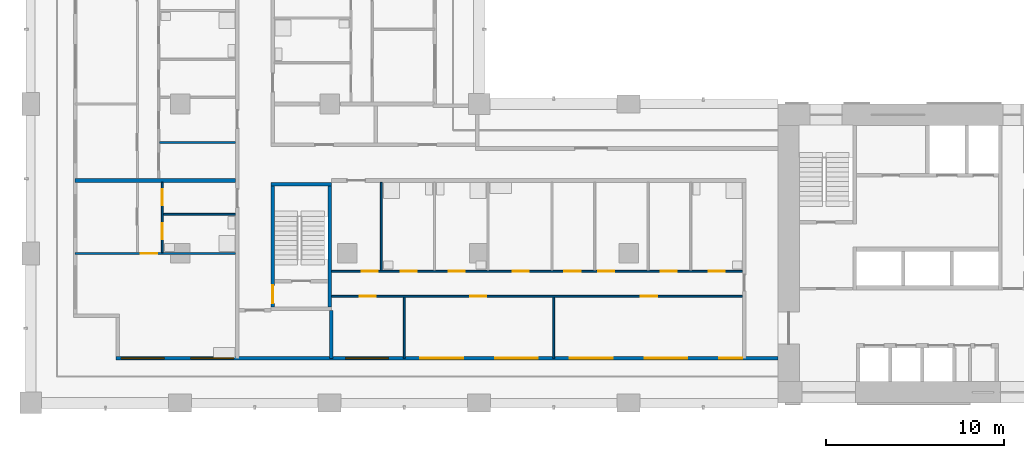
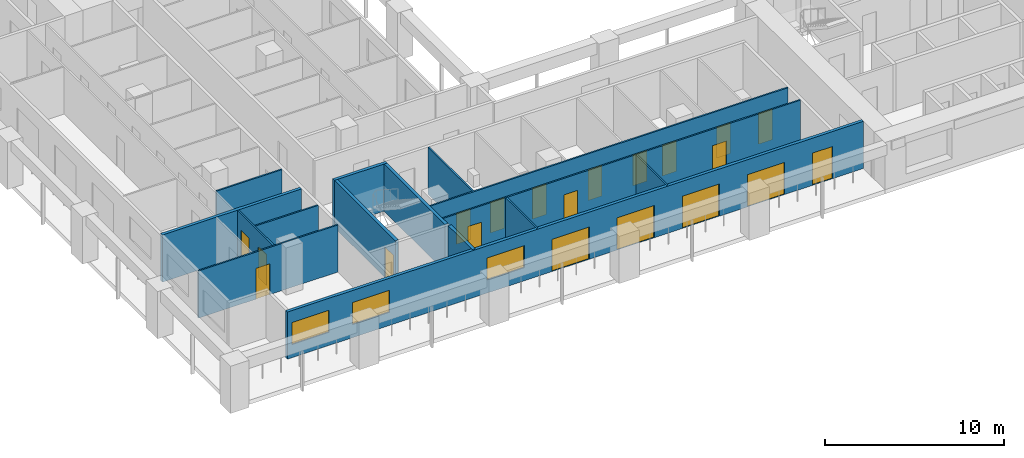
# One storey, part 2 of 16: 20 doors, 15 walls, 3 windows, 23 openings.
"""IFC4 building model written with IfcOpenShell, lengths in metres."""

from ifc_helpers import new_model, si_unit, direction, frame, frame_2d, origin, place, context, subcontext, project, spatial, rectangle, extrude, material, layer, layer_set, type_object, element, fill, save


model = new_model("IFC4")

# Units and contexts
model_context = context("Model", 3, precision=1e-05, world=origin(), true_north=direction((0.0, 1.0)))
body_context = subcontext(model_context, "Body", "Model", "MODEL_VIEW")
ifc_project = project(units=[si_unit("LENGTHUNIT", "METRE"), si_unit("AREAUNIT", "SQUARE_METRE"), si_unit("VOLUMEUNIT", "CUBIC_METRE"), si_unit("PLANEANGLEUNIT", "RADIAN"), si_unit("MASSUNIT", "GRAM", prefix="KILO")], contexts=[model_context])

# Site, building, storey
site_placement = place(None, origin())
site = spatial("IfcSite", under=ifc_project, at=site_placement, CompositionType="ELEMENT")
building_placement = place(site_placement, origin())
building = spatial("IfcBuilding", under=site, at=building_placement, Name="Vermilion Gate Residences", CompositionType="ELEMENT")
storey_placement = place(building_placement, frame((0.0, 0.0, 126.699951171875)))
storey = spatial("IfcBuildingStorey", under=building, at=storey_placement, Name="L32", CompositionType="ELEMENT", Elevation=126.699951171875)

# Wall, openings, doors, windows
ifc_material_1 = material(Name="Insulated steel stud wall with terracotta rainscreen", Category="masonry")
ifc_layer_1 = layer(ifc_material_1, 0.199951171875)
ifc_layer_set_1 = layer_set([ifc_layer_1], Name="EXTERNAL WALL 200 TERRACOTTA RAINSCREEN")
wall_type_1 = type_object("IfcWallType", Name="EXTERNAL WALL 200 TERRACOTTA RAINSCREEN", PredefinedType="SOLIDWALL", material=ifc_layer_set_1)
wall_1_placement = place(storey_placement, frame((4.800048828125, 10.89990234375, 0.0), z_axis=(0.0, 0.0, 1.0), x_axis=(1.0, 0.0, 0.0)))
wall_1 = element("IfcWall", 1, at=wall_1_placement, inside=storey, type_object=wall_type_1, Name="External wall", PredefinedType="SOLIDWALL", context=body_context, shape_type="SweptSolid", body=[
    extrude(rectangle(XDim=37.199951171875, YDim=0.199951171875, at=frame_2d((18.60009765625, 0.0))), origin(), (0.0, 0.0, 1.0), 3.219970703125),
])
opening_1_placement = place(wall_1_placement, frame((0.300048828125, 0.0, 0.89990234375)))
opening_1 = element("IfcOpeningElement", 2, at=opening_1_placement, cuts=wall_1, Name="Opening WE32012", PredefinedType="OPENING", context=body_context, shape_type="SweptSolid", body=[
    extrude(rectangle(XDim=2.39990234375, YDim=1.5, at=frame_2d((1.199951171875, 0.75))), frame((0.0, 0.10986328125, 0.0), z_axis=(0.0, -1.0, 0.0), x_axis=(1.0, 0.0, 0.0)), (0.0, 0.0, 1.0), 0.219970703125),
])
opening_2_placement = place(wall_1_placement, frame((4.199951171875, 0.0, 0.89990234375)))
opening_2 = element("IfcOpeningElement", 3, at=opening_2_placement, cuts=wall_1, Name="Opening WE32013", PredefinedType="OPENING", context=body_context, shape_type="SweptSolid", body=[
    extrude(rectangle(XDim=2.39990234375, YDim=1.5, at=frame_2d((1.199951171875, 0.75))), frame((0.0, 0.10986328125, 0.0), z_axis=(0.0, -1.0, 0.0), x_axis=(1.0, 0.0, 0.0)), (0.0, 0.0, 1.0), 0.219970703125),
])
opening_3_placement = place(wall_1_placement, frame((12.89990234375, 0.0, 0.89990234375)))
opening_3 = element("IfcOpeningElement", 4, at=opening_3_placement, cuts=wall_1, Name="Opening WE32014", PredefinedType="OPENING", context=body_context, shape_type="SweptSolid", body=[
    extrude(rectangle(XDim=2.39990234375, YDim=1.5, at=frame_2d((1.199951171875, 0.75))), frame((0.0, 0.10986328125, 0.0), z_axis=(0.0, -1.0, 0.0), x_axis=(1.0, 0.0, 0.0)), (0.0, 0.0, 1.0), 0.219970703125),
])
opening_4_placement = place(wall_1_placement, frame((17.10009765625, 0.0, 0.0)))
opening_4 = element("IfcOpeningElement", 5, at=opening_4_placement, cuts=wall_1, Name="Opening DE32015", PredefinedType="OPENING", context=body_context, shape_type="SweptSolid", body=[
    extrude(rectangle(XDim=2.39990234375, YDim=2.199951171875, at=frame_2d((1.199951171875, 1.10009765625))), frame((0.0, 0.10986328125, 0.0), z_axis=(0.0, -1.0, 0.0), x_axis=(1.0, 0.0, 0.0)), (0.0, 0.0, 1.0), 0.219970703125),
])
opening_5_placement = place(wall_1_placement, frame((21.300048828125, 0.0, 0.0)))
opening_5 = element("IfcOpeningElement", 6, at=opening_5_placement, cuts=wall_1, Name="Opening DE32016", PredefinedType="OPENING", context=body_context, shape_type="SweptSolid", body=[
    extrude(rectangle(XDim=2.39990234375, YDim=2.199951171875, at=frame_2d((1.199951171875, 1.10009765625))), frame((0.0, 0.10986328125, 0.0), z_axis=(0.0, -1.0, 0.0), x_axis=(1.0, 0.0, 0.0)), (0.0, 0.0, 1.0), 0.219970703125),
])
opening_6_placement = place(wall_1_placement, frame((25.5, 0.0, 0.0)))
opening_6 = element("IfcOpeningElement", 7, at=opening_6_placement, cuts=wall_1, Name="Opening DE32017", PredefinedType="OPENING", context=body_context, shape_type="SweptSolid", body=[
    extrude(rectangle(XDim=2.39990234375, YDim=2.199951171875, at=frame_2d((1.199951171875, 1.10009765625))), frame((0.0, 0.10986328125, 0.0), z_axis=(0.0, -1.0, 0.0), x_axis=(1.0, 0.0, 0.0)), (0.0, 0.0, 1.0), 0.219970703125),
])
opening_7_placement = place(wall_1_placement, frame((29.699951171875, 0.0, 0.0)))
opening_7 = element("IfcOpeningElement", 8, at=opening_7_placement, cuts=wall_1, Name="Opening DE32018", PredefinedType="OPENING", context=body_context, shape_type="SweptSolid", body=[
    extrude(rectangle(XDim=2.39990234375, YDim=2.199951171875, at=frame_2d((1.199951171875, 1.10009765625))), frame((0.0, 0.10986328125, 0.0), z_axis=(0.0, -1.0, 0.0), x_axis=(1.0, 0.0, 0.0)), (0.0, 0.0, 1.0), 0.219970703125),
])
opening_8_placement = place(wall_1_placement, frame((33.89990234375, 0.0, 0.0)))
opening_8 = element("IfcOpeningElement", 9, at=opening_8_placement, cuts=wall_1, Name="Opening DE32019", PredefinedType="OPENING", context=body_context, shape_type="SweptSolid", body=[
    extrude(rectangle(XDim=1.300048828125, YDim=2.199951171875, at=frame_2d((0.64990234375, 1.10009765625))), frame((0.0, 0.10986328125, 0.0), z_axis=(0.0, -1.0, 0.0), x_axis=(1.0, 0.0, 0.0)), (0.0, 0.0, 1.0), 0.219970703125),
])
ifc_material_2 = material(Name="Aluminium and clear glass", Category="aluminium")
door_type_1 = type_object("IfcDoorType", Name="SLIDING GLAZED DOOR 1300 X 2200", OperationType="DOUBLE_DOOR_SLIDING", PredefinedType="DOOR", material=ifc_material_2)
door_1_placement = place(opening_8_placement, origin())
door_1 = element("IfcDoor", 10, at=door_1_placement, inside=storey, type_object=door_type_1, Name="Loggia sliding door", OperationType="DOUBLE_DOOR_SLIDING", OverallHeight=2.199951171875, OverallWidth=1.300048828125, PredefinedType="DOOR", context=body_context, shape_type="SweptSolid", body=[
    extrude(rectangle(XDim=1.300048828125, YDim=2.199951171875, at=frame_2d((0.64990234375, 1.10009765625))), frame((0.0, 0.02490234375, 0.0), z_axis=(0.0, -1.0, 0.0), x_axis=(1.0, 0.0, 0.0)), (0.0, 0.0, 1.0), 0.050048828125),
])
fill(opening_8, door_1)
ifc_material_3 = material(Name="Aluminium and clear glass", Category="aluminium")
door_type_2 = type_object("IfcDoorType", Name="SLIDING GLAZED DOOR 2400 X 2200", OperationType="DOUBLE_DOOR_SLIDING", PredefinedType="DOOR", material=ifc_material_3)
door_2_placement = place(opening_4_placement, origin())
door_2 = element("IfcDoor", 11, at=door_2_placement, inside=storey, type_object=door_type_2, Name="Loggia sliding door", OperationType="DOUBLE_DOOR_SLIDING", OverallHeight=2.199951171875, OverallWidth=2.39990234375, PredefinedType="DOOR", context=body_context, shape_type="SweptSolid", body=[
    extrude(rectangle(XDim=2.39990234375, YDim=2.199951171875, at=frame_2d((1.199951171875, 1.10009765625))), frame((0.0, 0.02490234375, 0.0), z_axis=(0.0, -1.0, 0.0), x_axis=(1.0, 0.0, 0.0)), (0.0, 0.0, 1.0), 0.050048828125),
])
fill(opening_4, door_2)
door_3_placement = place(opening_5_placement, origin())
door_3 = element("IfcDoor", 12, at=door_3_placement, inside=storey, type_object=door_type_2, Name="Loggia sliding door", OperationType="DOUBLE_DOOR_SLIDING", OverallHeight=2.199951171875, OverallWidth=2.39990234375, PredefinedType="DOOR", context=body_context, shape_type="SweptSolid", body=[
    extrude(rectangle(XDim=2.39990234375, YDim=2.199951171875, at=frame_2d((1.199951171875, 1.10009765625))), frame((0.0, 0.02490234375, 0.0), z_axis=(0.0, -1.0, 0.0), x_axis=(1.0, 0.0, 0.0)), (0.0, 0.0, 1.0), 0.050048828125),
])
fill(opening_5, door_3)
door_4_placement = place(opening_6_placement, origin())
door_4 = element("IfcDoor", 13, at=door_4_placement, inside=storey, type_object=door_type_2, Name="Loggia sliding door", OperationType="DOUBLE_DOOR_SLIDING", OverallHeight=2.199951171875, OverallWidth=2.39990234375, PredefinedType="DOOR", context=body_context, shape_type="SweptSolid", body=[
    extrude(rectangle(XDim=2.39990234375, YDim=2.199951171875, at=frame_2d((1.199951171875, 1.10009765625))), frame((0.0, 0.02490234375, 0.0), z_axis=(0.0, -1.0, 0.0), x_axis=(1.0, 0.0, 0.0)), (0.0, 0.0, 1.0), 0.050048828125),
])
fill(opening_6, door_4)
door_5_placement = place(opening_7_placement, origin())
door_5 = element("IfcDoor", 14, at=door_5_placement, inside=storey, type_object=door_type_2, Name="Loggia sliding door", OperationType="DOUBLE_DOOR_SLIDING", OverallHeight=2.199951171875, OverallWidth=2.39990234375, PredefinedType="DOOR", context=body_context, shape_type="SweptSolid", body=[
    extrude(rectangle(XDim=2.39990234375, YDim=2.199951171875, at=frame_2d((1.199951171875, 1.10009765625))), frame((0.0, 0.02490234375, 0.0), z_axis=(0.0, -1.0, 0.0), x_axis=(1.0, 0.0, 0.0)), (0.0, 0.0, 1.0), 0.050048828125),
])
fill(opening_7, door_5)
ifc_material_4 = material(Name="Aluminium and clear glass", Category="aluminium")
window_type = type_object("IfcWindowType", Name="WINDOW 2400 X 1500", PartitioningType="SINGLE_PANEL", PredefinedType="WINDOW", material=ifc_material_4)
window_1_placement = place(opening_1_placement, origin())
window_1 = element("IfcWindow", 15, at=window_1_placement, inside=storey, type_object=window_type, Name="Window", OverallHeight=1.5, OverallWidth=2.39990234375, PartitioningType="SINGLE_PANEL", PredefinedType="WINDOW", context=body_context, shape_type="SweptSolid", body=[
    extrude(rectangle(XDim=2.39990234375, YDim=1.5, at=frame_2d((1.199951171875, 0.75))), frame((0.0, 0.030029296875, 0.0), z_axis=(0.0, -1.0, 0.0), x_axis=(1.0, 0.0, 0.0)), (0.0, 0.0, 1.0), 0.06005859375),
])
fill(opening_1, window_1)
window_2_placement = place(opening_2_placement, origin())
window_2 = element("IfcWindow", 16, at=window_2_placement, inside=storey, type_object=window_type, Name="Window", OverallHeight=1.5, OverallWidth=2.39990234375, PartitioningType="SINGLE_PANEL", PredefinedType="WINDOW", context=body_context, shape_type="SweptSolid", body=[
    extrude(rectangle(XDim=2.39990234375, YDim=1.5, at=frame_2d((1.199951171875, 0.75))), frame((0.0, 0.030029296875, 0.0), z_axis=(0.0, -1.0, 0.0), x_axis=(1.0, 0.0, 0.0)), (0.0, 0.0, 1.0), 0.06005859375),
])
fill(opening_2, window_2)
window_3_placement = place(opening_3_placement, origin())
window_3 = element("IfcWindow", 17, at=window_3_placement, inside=storey, type_object=window_type, Name="Window", OverallHeight=1.5, OverallWidth=2.39990234375, PartitioningType="SINGLE_PANEL", PredefinedType="WINDOW", context=body_context, shape_type="SweptSolid", body=[
    extrude(rectangle(XDim=2.39990234375, YDim=1.5, at=frame_2d((1.199951171875, 0.75))), frame((0.0, 0.030029296875, 0.0), z_axis=(0.0, -1.0, 0.0), x_axis=(1.0, 0.0, 0.0)), (0.0, 0.0, 1.0), 0.06005859375),
])
fill(opening_3, window_3)

# Wall, openings, doors
ifc_material_5 = material(Name="Plasterboard on steel studs", Category="steel")
ifc_layer_2 = layer(ifc_material_5, 0.10009765625)
ifc_layer_set_2 = layer_set([ifc_layer_2], Name="PARTITION 100")
wall_type_2 = type_object("IfcWallType", Name="PARTITION 100", PredefinedType="PARTITIONING", material=ifc_layer_set_2)
wall_2_placement = place(storey_placement, frame((16.89990234375, 14.39990234375, 0.0), z_axis=(0.0, 0.0, 1.0), x_axis=(1.0, 0.0, 0.0)))
wall_2 = element("IfcWall", 18, at=wall_2_placement, inside=storey, type_object=wall_type_2, Name="Partition", PredefinedType="PARTITIONING", context=body_context, shape_type="SweptSolid", body=[
    extrude(rectangle(XDim=23.10009765625, YDim=0.10009765625, at=frame_2d((11.550048828125, 0.0))), origin(), (0.0, 0.0, 1.0), 3.219970703125),
])
opening_9_placement = place(wall_2_placement, frame((1.60009765625, 0.0, 0.0)))
opening_9 = element("IfcOpeningElement", 19, at=opening_9_placement, cuts=wall_2, Name="Opening DA32002", PredefinedType="OPENING", context=body_context, shape_type="SweptSolid", body=[
    extrude(rectangle(XDim=0.89990234375, YDim=2.10009765625, at=frame_2d((0.449951171875, 1.050048828125))), frame((0.0, 0.06005859375, 0.0), z_axis=(0.0, -1.0, 0.0), x_axis=(1.0, 0.0, 0.0)), (0.0, 0.0, 1.0), 0.1201171875),
])
opening_10_placement = place(wall_2_placement, frame((7.800048828125, 0.0, 0.0)))
opening_10 = element("IfcOpeningElement", 20, at=opening_10_placement, cuts=wall_2, Name="Opening DA32003", PredefinedType="OPENING", context=body_context, shape_type="SweptSolid", body=[
    extrude(rectangle(XDim=0.89990234375, YDim=2.10009765625, at=frame_2d((0.449951171875, 1.050048828125))), frame((0.0, 0.06005859375, 0.0), z_axis=(0.0, -1.0, 0.0), x_axis=(1.0, 0.0, 0.0)), (0.0, 0.0, 1.0), 0.1201171875),
])
opening_11_placement = place(wall_2_placement, frame((17.39990234375, 0.0, 0.0)))
opening_11 = element("IfcOpeningElement", 21, at=opening_11_placement, cuts=wall_2, Name="Opening DA32004", PredefinedType="OPENING", context=body_context, shape_type="SweptSolid", body=[
    extrude(rectangle(XDim=0.89990234375, YDim=2.10009765625, at=frame_2d((0.449951171875, 1.050048828125))), frame((0.0, 0.06005859375, 0.0), z_axis=(0.0, -1.0, 0.0), x_axis=(1.0, 0.0, 0.0)), (0.0, 0.0, 1.0), 0.1201171875),
])
ifc_material_6 = material(Name="Timber", Category="wood")
door_type_3 = type_object("IfcDoorType", Name="INTERIOR DOOR 900 X 2100", OperationType="SINGLE_SWING_LEFT", PredefinedType="DOOR", material=ifc_material_6)
door_6_placement = place(opening_9_placement, frame((0.89990234375, 0.0, 0.0), z_axis=(0.0, 0.0, 1.0), x_axis=(-1.0, 0.0, 0.0)))
door_6 = element("IfcDoor", 22, at=door_6_placement, inside=storey, type_object=door_type_3, Name="Interior door", OperationType="SINGLE_SWING_LEFT", OverallHeight=2.10009765625, OverallWidth=0.89990234375, PredefinedType="DOOR", context=body_context, shape_type="SweptSolid", body=[
    extrude(rectangle(XDim=0.89990234375, YDim=2.10009765625, at=frame_2d((0.449951171875, 1.050048828125))), frame((0.0, 0.02490234375, 0.0), z_axis=(0.0, -1.0, 0.0), x_axis=(1.0, 0.0, 0.0)), (0.0, 0.0, 1.0), 0.050048828125),
])
fill(opening_9, door_6)
door_7_placement = place(opening_10_placement, frame((0.89990234375, 0.0, 0.0), z_axis=(0.0, 0.0, 1.0), x_axis=(-1.0, 0.0, 0.0)))
door_7 = element("IfcDoor", 23, at=door_7_placement, inside=storey, type_object=door_type_3, Name="Interior door", OperationType="SINGLE_SWING_RIGHT", OverallHeight=2.10009765625, OverallWidth=0.89990234375, PredefinedType="DOOR", context=body_context, shape_type="SweptSolid", body=[
    extrude(rectangle(XDim=0.89990234375, YDim=2.10009765625, at=frame_2d((0.449951171875, 1.050048828125))), frame((0.0, 0.02490234375, 0.0), z_axis=(0.0, -1.0, 0.0), x_axis=(1.0, 0.0, 0.0)), (0.0, 0.0, 1.0), 0.050048828125),
])
fill(opening_10, door_7)
door_8_placement = place(opening_11_placement, frame((0.89990234375, 0.0, 0.0), z_axis=(0.0, 0.0, 1.0), x_axis=(-1.0, 0.0, 0.0)))
door_8 = element("IfcDoor", 24, at=door_8_placement, inside=storey, type_object=door_type_3, Name="Interior door", OperationType="SINGLE_SWING_RIGHT", OverallHeight=2.10009765625, OverallWidth=0.89990234375, PredefinedType="DOOR", context=body_context, shape_type="SweptSolid", body=[
    extrude(rectangle(XDim=0.89990234375, YDim=2.10009765625, at=frame_2d((0.449951171875, 1.050048828125))), frame((0.0, 0.02490234375, 0.0), z_axis=(0.0, -1.0, 0.0), x_axis=(1.0, 0.0, 0.0)), (0.0, 0.0, 1.0), 0.050048828125),
])
fill(opening_11, door_8)

wall_3_placement = place(storey_placement, frame((16.89990234375, 15.800048828125, 0.0), z_axis=(0.0, 0.0, 1.0), x_axis=(1.0, 0.0, 0.0)))
wall_3 = element("IfcWall", 25, at=wall_3_placement, inside=storey, type_object=wall_type_2, Name="Partition", PredefinedType="PARTITIONING", context=body_context, shape_type="SweptSolid", body=[
    extrude(rectangle(XDim=23.10009765625, YDim=0.10009765625, at=frame_2d((11.550048828125, 0.0))), origin(), (0.0, 0.0, 1.0), 3.219970703125),
])
opening_12_placement = place(wall_3_placement, frame((1.699951171875, 0.0, 0.0)))
opening_12 = element("IfcOpeningElement", 26, at=opening_12_placement, cuts=wall_3, Name="Opening DA32005", PredefinedType="OPENING", context=body_context, shape_type="SweptSolid", body=[
    extrude(rectangle(XDim=0.89990234375, YDim=2.10009765625, at=frame_2d((0.449951171875, 1.050048828125))), frame((0.0, 0.06005859375, 0.0), z_axis=(0.0, -1.0, 0.0), x_axis=(1.0, 0.0, 0.0)), (0.0, 0.0, 1.0), 0.1201171875),
])
opening_13_placement = place(wall_3_placement, frame((3.89990234375, 0.0, 0.0)))
opening_13 = element("IfcOpeningElement", 27, at=opening_13_placement, cuts=wall_3, Name="Opening DA32006", PredefinedType="OPENING", context=body_context, shape_type="SweptSolid", body=[
    extrude(rectangle(XDim=0.89990234375, YDim=2.10009765625, at=frame_2d((0.449951171875, 1.050048828125))), frame((0.0, 0.06005859375, 0.0), z_axis=(0.0, -1.0, 0.0), x_axis=(1.0, 0.0, 0.0)), (0.0, 0.0, 1.0), 0.1201171875),
])
opening_14_placement = place(wall_3_placement, frame((6.60009765625, 0.0, 0.0)))
opening_14 = element("IfcOpeningElement", 28, at=opening_14_placement, cuts=wall_3, Name="Opening DA32007", PredefinedType="OPENING", context=body_context, shape_type="SweptSolid", body=[
    extrude(rectangle(XDim=0.89990234375, YDim=2.10009765625, at=frame_2d((0.449951171875, 1.050048828125))), frame((0.0, 0.06005859375, 0.0), z_axis=(0.0, -1.0, 0.0), x_axis=(1.0, 0.0, 0.0)), (0.0, 0.0, 1.0), 0.1201171875),
])
opening_15_placement = place(wall_3_placement, frame((10.199951171875, 0.0, 0.0)))
opening_15 = element("IfcOpeningElement", 29, at=opening_15_placement, cuts=wall_3, Name="Opening DA32008", PredefinedType="OPENING", context=body_context, shape_type="SweptSolid", body=[
    extrude(rectangle(XDim=0.89990234375, YDim=2.10009765625, at=frame_2d((0.449951171875, 1.050048828125))), frame((0.0, 0.06005859375, 0.0), z_axis=(0.0, -1.0, 0.0), x_axis=(1.0, 0.0, 0.0)), (0.0, 0.0, 1.0), 0.1201171875),
])
opening_16_placement = place(wall_3_placement, frame((13.10009765625, 0.0, 0.0)))
opening_16 = element("IfcOpeningElement", 30, at=opening_16_placement, cuts=wall_3, Name="Opening DA32009", PredefinedType="OPENING", context=body_context, shape_type="SweptSolid", body=[
    extrude(rectangle(XDim=0.89990234375, YDim=2.10009765625, at=frame_2d((0.449951171875, 1.050048828125))), frame((0.0, 0.06005859375, 0.0), z_axis=(0.0, -1.0, 0.0), x_axis=(1.0, 0.0, 0.0)), (0.0, 0.0, 1.0), 0.1201171875),
])
opening_17_placement = place(wall_3_placement, frame((15.0, 0.0, 0.0)))
opening_17 = element("IfcOpeningElement", 31, at=opening_17_placement, cuts=wall_3, Name="Opening DA32010", PredefinedType="OPENING", context=body_context, shape_type="SweptSolid", body=[
    extrude(rectangle(XDim=0.89990234375, YDim=2.10009765625, at=frame_2d((0.449951171875, 1.050048828125))), frame((0.0, 0.06005859375, 0.0), z_axis=(0.0, -1.0, 0.0), x_axis=(1.0, 0.0, 0.0)), (0.0, 0.0, 1.0), 0.1201171875),
])
opening_18_placement = place(wall_3_placement, frame((18.5, 0.0, 0.0)))
opening_18 = element("IfcOpeningElement", 32, at=opening_18_placement, cuts=wall_3, Name="Opening DA32011", PredefinedType="OPENING", context=body_context, shape_type="SweptSolid", body=[
    extrude(rectangle(XDim=0.89990234375, YDim=2.10009765625, at=frame_2d((0.449951171875, 1.050048828125))), frame((0.0, 0.06005859375, 0.0), z_axis=(0.0, -1.0, 0.0), x_axis=(1.0, 0.0, 0.0)), (0.0, 0.0, 1.0), 0.1201171875),
])
opening_19_placement = place(wall_3_placement, frame((21.199951171875, 0.0, 0.0)))
opening_19 = element("IfcOpeningElement", 33, at=opening_19_placement, cuts=wall_3, Name="Opening DA32012", PredefinedType="OPENING", context=body_context, shape_type="SweptSolid", body=[
    extrude(rectangle(XDim=0.89990234375, YDim=2.10009765625, at=frame_2d((0.449951171875, 1.050048828125))), frame((0.0, 0.06005859375, 0.0), z_axis=(0.0, -1.0, 0.0), x_axis=(1.0, 0.0, 0.0)), (0.0, 0.0, 1.0), 0.1201171875),
])
door_9_placement = place(opening_12_placement, origin())
door_9 = element("IfcDoor", 34, at=door_9_placement, inside=storey, type_object=door_type_3, Name="Interior door", OperationType="SINGLE_SWING_RIGHT", OverallHeight=2.10009765625, OverallWidth=0.89990234375, PredefinedType="DOOR", context=body_context, shape_type="SweptSolid", body=[
    extrude(rectangle(XDim=0.89990234375, YDim=2.10009765625, at=frame_2d((0.449951171875, 1.050048828125))), frame((0.0, 0.02490234375, 0.0), z_axis=(0.0, -1.0, 0.0), x_axis=(1.0, 0.0, 0.0)), (0.0, 0.0, 1.0), 0.050048828125),
])
fill(opening_12, door_9)
door_10_placement = place(opening_13_placement, origin())
door_10 = element("IfcDoor", 35, at=door_10_placement, inside=storey, type_object=door_type_3, Name="Interior door", OperationType="SINGLE_SWING_LEFT", OverallHeight=2.10009765625, OverallWidth=0.89990234375, PredefinedType="DOOR", context=body_context, shape_type="SweptSolid", body=[
    extrude(rectangle(XDim=0.89990234375, YDim=2.10009765625, at=frame_2d((0.449951171875, 1.050048828125))), frame((0.0, 0.02490234375, 0.0), z_axis=(0.0, -1.0, 0.0), x_axis=(1.0, 0.0, 0.0)), (0.0, 0.0, 1.0), 0.050048828125),
])
fill(opening_13, door_10)
door_11_placement = place(opening_14_placement, origin())
door_11 = element("IfcDoor", 36, at=door_11_placement, inside=storey, type_object=door_type_3, Name="Interior door", OperationType="SINGLE_SWING_RIGHT", OverallHeight=2.10009765625, OverallWidth=0.89990234375, PredefinedType="DOOR", context=body_context, shape_type="SweptSolid", body=[
    extrude(rectangle(XDim=0.89990234375, YDim=2.10009765625, at=frame_2d((0.449951171875, 1.050048828125))), frame((0.0, 0.02490234375, 0.0), z_axis=(0.0, -1.0, 0.0), x_axis=(1.0, 0.0, 0.0)), (0.0, 0.0, 1.0), 0.050048828125),
])
fill(opening_14, door_11)
door_12_placement = place(opening_15_placement, origin())
door_12 = element("IfcDoor", 37, at=door_12_placement, inside=storey, type_object=door_type_3, Name="Interior door", OperationType="SINGLE_SWING_RIGHT", OverallHeight=2.10009765625, OverallWidth=0.89990234375, PredefinedType="DOOR", context=body_context, shape_type="SweptSolid", body=[
    extrude(rectangle(XDim=0.89990234375, YDim=2.10009765625, at=frame_2d((0.449951171875, 1.050048828125))), frame((0.0, 0.02490234375, 0.0), z_axis=(0.0, -1.0, 0.0), x_axis=(1.0, 0.0, 0.0)), (0.0, 0.0, 1.0), 0.050048828125),
])
fill(opening_15, door_12)
door_13_placement = place(opening_16_placement, origin())
door_13 = element("IfcDoor", 38, at=door_13_placement, inside=storey, type_object=door_type_3, Name="Interior door", OperationType="SINGLE_SWING_LEFT", OverallHeight=2.10009765625, OverallWidth=0.89990234375, PredefinedType="DOOR", context=body_context, shape_type="SweptSolid", body=[
    extrude(rectangle(XDim=0.89990234375, YDim=2.10009765625, at=frame_2d((0.449951171875, 1.050048828125))), frame((0.0, 0.02490234375, 0.0), z_axis=(0.0, -1.0, 0.0), x_axis=(1.0, 0.0, 0.0)), (0.0, 0.0, 1.0), 0.050048828125),
])
fill(opening_16, door_13)
door_14_placement = place(opening_17_placement, origin())
door_14 = element("IfcDoor", 39, at=door_14_placement, inside=storey, type_object=door_type_3, Name="Interior door", OperationType="SINGLE_SWING_LEFT", OverallHeight=2.10009765625, OverallWidth=0.89990234375, PredefinedType="DOOR", context=body_context, shape_type="SweptSolid", body=[
    extrude(rectangle(XDim=0.89990234375, YDim=2.10009765625, at=frame_2d((0.449951171875, 1.050048828125))), frame((0.0, 0.02490234375, 0.0), z_axis=(0.0, -1.0, 0.0), x_axis=(1.0, 0.0, 0.0)), (0.0, 0.0, 1.0), 0.050048828125),
])
fill(opening_17, door_14)
door_15_placement = place(opening_18_placement, origin())
door_15 = element("IfcDoor", 40, at=door_15_placement, inside=storey, type_object=door_type_3, Name="Interior door", OperationType="SINGLE_SWING_LEFT", OverallHeight=2.10009765625, OverallWidth=0.89990234375, PredefinedType="DOOR", context=body_context, shape_type="SweptSolid", body=[
    extrude(rectangle(XDim=0.89990234375, YDim=2.10009765625, at=frame_2d((0.449951171875, 1.050048828125))), frame((0.0, 0.02490234375, 0.0), z_axis=(0.0, -1.0, 0.0), x_axis=(1.0, 0.0, 0.0)), (0.0, 0.0, 1.0), 0.050048828125),
])
fill(opening_18, door_15)
door_16_placement = place(opening_19_placement, origin())
door_16 = element("IfcDoor", 41, at=door_16_placement, inside=storey, type_object=door_type_3, Name="Interior door", OperationType="SINGLE_SWING_RIGHT", OverallHeight=2.10009765625, OverallWidth=0.89990234375, PredefinedType="DOOR", context=body_context, shape_type="SweptSolid", body=[
    extrude(rectangle(XDim=0.89990234375, YDim=2.10009765625, at=frame_2d((0.449951171875, 1.050048828125))), frame((0.0, 0.02490234375, 0.0), z_axis=(0.0, -1.0, 0.0), x_axis=(1.0, 0.0, 0.0)), (0.0, 0.0, 1.0), 0.050048828125),
])
fill(opening_19, door_16)

# Wall, opening, door
wall_4_placement = place(storey_placement, frame((2.5, 16.800048828125, 0.0), z_axis=(0.0, 0.0, 1.0), x_axis=(1.0, 0.0, 0.0)))
wall_4 = element("IfcWall", 42, at=wall_4_placement, inside=storey, type_object=wall_type_2, Name="Partition", PredefinedType="PARTITIONING", context=body_context, shape_type="SweptSolid", body=[
    extrude(rectangle(XDim=9.0, YDim=0.10009765625, at=frame_2d((4.5, 0.0))), origin(), (0.0, 0.0, 1.0), 3.219970703125),
])
opening_20_placement = place(wall_4_placement, frame((3.699951171875, 0.0, 0.0)))
opening_20 = element("IfcOpeningElement", 43, at=opening_20_placement, cuts=wall_4, Name="Opening DA32013", PredefinedType="OPENING", context=body_context, shape_type="SweptSolid", body=[
    extrude(rectangle(XDim=0.89990234375, YDim=2.10009765625, at=frame_2d((0.449951171875, 1.050048828125))), frame((0.0, 0.06005859375, 0.0), z_axis=(0.0, -1.0, 0.0), x_axis=(1.0, 0.0, 0.0)), (0.0, 0.0, 1.0), 0.1201171875),
])
door_17_placement = place(opening_20_placement, frame((0.89990234375, 0.0, 0.0), z_axis=(0.0, 0.0, 1.0), x_axis=(-1.0, 0.0, 0.0)))
door_17 = element("IfcDoor", 44, at=door_17_placement, inside=storey, type_object=door_type_3, Name="Interior door", OperationType="SINGLE_SWING_LEFT", OverallHeight=2.10009765625, OverallWidth=0.89990234375, PredefinedType="DOOR", context=body_context, shape_type="SweptSolid", body=[
    extrude(rectangle(XDim=0.89990234375, YDim=2.10009765625, at=frame_2d((0.449951171875, 1.050048828125))), frame((0.0, 0.02490234375, 0.0), z_axis=(0.0, -1.0, 0.0), x_axis=(1.0, 0.0, 0.0)), (0.0, 0.0, 1.0), 0.050048828125),
])
fill(opening_20, door_17)

# Walls
wall_5_placement = place(storey_placement, frame((7.449951171875, 19.0, 0.0), z_axis=(0.0, 0.0, 1.0), x_axis=(1.0, 0.0, 0.0)))
element("IfcWall", 45, at=wall_5_placement, inside=storey, type_object=wall_type_2, Name="Partition", PredefinedType="PARTITIONING", context=body_context, shape_type="SweptSolid", body=[
    extrude(rectangle(XDim=4.050048828125, YDim=0.10009765625, at=frame_2d((2.02490234375, 0.0))), origin(), (0.0, 0.0, 1.0), 3.219970703125),
])
wall_6_placement = place(storey_placement, frame((7.25, 23.037109375, 0.0), z_axis=(0.0, 0.0, 1.0), x_axis=(1.0, 0.0, 0.0)))
element("IfcWall", 46, at=wall_6_placement, inside=storey, type_object=wall_type_2, Name="Partition", PredefinedType="PARTITIONING", context=body_context, shape_type="SweptSolid", body=[
    extrude(rectangle(XDim=4.25, YDim=0.10009765625, at=frame_2d((2.125, 0.0))), origin(), (0.0, 0.0, 1.0), 3.219970703125),
])

# Wall, openings, doors
wall_7_placement = place(storey_placement, frame((7.39990234375, 16.85009765625, 0.0), z_axis=(0.0, 0.0, 1.0), x_axis=(0.0, 1.0, 0.0)))
wall_7 = element("IfcWall", 47, at=wall_7_placement, inside=storey, type_object=wall_type_2, Name="Partition", PredefinedType="PARTITIONING", context=body_context, shape_type="SweptSolid", body=[
    extrude(rectangle(XDim=3.949951171875, YDim=0.10009765625, at=frame_2d((1.97509765625, 0.0))), origin(), (0.0, 0.0, 1.0), 3.219970703125),
])
opening_21_placement = place(wall_7_placement, frame((2.64990234375, 0.0, 0.0)))
opening_21 = element("IfcOpeningElement", 48, at=opening_21_placement, cuts=wall_7, Name="Opening DA32034", PredefinedType="OPENING", context=body_context, shape_type="SweptSolid", body=[
    extrude(rectangle(XDim=0.89990234375, YDim=2.10009765625, at=frame_2d((0.449951171875, 1.050048828125))), frame((0.0, 0.06005859375, 0.0), z_axis=(0.0, -1.0, 0.0), x_axis=(1.0, 0.0, 0.0)), (0.0, 0.0, 1.0), 0.1201171875),
])
opening_22_placement = place(wall_7_placement, frame((0.75, 0.0, 0.0)))
opening_22 = element("IfcOpeningElement", 49, at=opening_22_placement, cuts=wall_7, Name="Opening DA32035", PredefinedType="OPENING", context=body_context, shape_type="SweptSolid", body=[
    extrude(rectangle(XDim=0.89990234375, YDim=2.10009765625, at=frame_2d((0.449951171875, 1.050048828125))), frame((0.0, 0.06005859375, 0.0), z_axis=(0.0, -1.0, 0.0), x_axis=(1.0, 0.0, 0.0)), (0.0, 0.0, 1.0), 0.1201171875),
])
door_18_placement = place(opening_21_placement, origin())
door_18 = element("IfcDoor", 50, at=door_18_placement, inside=storey, type_object=door_type_3, Name="Interior door", OperationType="SINGLE_SWING_RIGHT", OverallHeight=2.10009765625, OverallWidth=0.89990234375, PredefinedType="DOOR", context=body_context, shape_type="SweptSolid", body=[
    extrude(rectangle(XDim=0.89990234375, YDim=2.10009765625, at=frame_2d((0.449951171875, 1.050048828125))), frame((0.0, 0.02490234375, 0.0), z_axis=(0.0, -1.0, 0.0), x_axis=(1.0, 0.0, 0.0)), (0.0, 0.0, 1.0), 0.050048828125),
])
fill(opening_21, door_18)
door_19_placement = place(opening_22_placement, frame((0.89990234375, 0.0, 0.0), z_axis=(0.0, 0.0, 1.0), x_axis=(-1.0, 0.0, 0.0)))
door_19 = element("IfcDoor", 51, at=door_19_placement, inside=storey, type_object=door_type_3, Name="Interior door", OperationType="SINGLE_SWING_RIGHT", OverallHeight=2.10009765625, OverallWidth=0.89990234375, PredefinedType="DOOR", context=body_context, shape_type="SweptSolid", body=[
    extrude(rectangle(XDim=0.89990234375, YDim=2.10009765625, at=frame_2d((0.449951171875, 1.050048828125))), frame((0.0, 0.02490234375, 0.0), z_axis=(0.0, -1.0, 0.0), x_axis=(1.0, 0.0, 0.0)), (0.0, 0.0, 1.0), 0.050048828125),
])
fill(opening_22, door_19)

# Walls
wall_8_placement = place(storey_placement, frame((19.699951171875, 15.85009765625, 0.0), z_axis=(0.0, 0.0, 1.0), x_axis=(0.0, 1.0, 0.0)))
element("IfcWall", 52, at=wall_8_placement, inside=storey, type_object=wall_type_2, Name="Partition", PredefinedType="PARTITIONING", context=body_context, shape_type="SweptSolid", body=[
    extrude(rectangle(XDim=4.949951171875, YDim=0.10009765625, at=frame_2d((2.47509765625, 0.0))), origin(), (0.0, 0.0, 1.0), 3.219970703125),
])
for number, where, z_axis, x_axis, name in (
    (53, (21.0, 10.89990234375, 0.0), (0.0, 0.0, 1.0), (0.0, 1.0, 0.0), "Partition"),
    (54, (29.39990234375, 10.89990234375, 0.0), (0.0, 0.0, 1.0), (0.0, 1.0, 0.0), "Partition"),
):
    element("IfcWall", number, at=place(storey_placement, frame(where, z_axis=z_axis, x_axis=x_axis)), inside=storey, type_object=wall_type_2, Name=name, PredefinedType="PARTITIONING", context=body_context, shape_type="SweptSolid", body=[
        extrude(rectangle(XDim=3.4501953125, YDim=0.10009765625, at=frame_2d((1.72509765625, 0.0))), origin(), (0.0, 0.0, 1.0), 3.219970703125),
    ])
ifc_material_7 = material(Name="Fire-rated plasterboard on steel studs", Category="steel")
ifc_layer_3 = layer(ifc_material_7, 0.199951171875)
ifc_layer_set_3 = layer_set([ifc_layer_3], Name="PARTY WALL 200 EI 120")
wall_type_3 = type_object("IfcWallType", Name="PARTY WALL 200 EI 120", PredefinedType="PARTITIONING", material=ifc_layer_set_3)
wall_9_placement = place(storey_placement, frame((2.5, 20.89990234375, 0.0), z_axis=(0.0, 0.0, 1.0), x_axis=(1.0, 0.0, 0.0)))
element("IfcWall", 55, at=wall_9_placement, inside=storey, type_object=wall_type_3, Name="Party and corridor wall", PredefinedType="PARTITIONING", context=body_context, shape_type="SweptSolid", body=[
    extrude(rectangle(XDim=9.0, YDim=0.199951171875, at=frame_2d((4.5, 0.0))), origin(), (0.0, 0.0, 1.0), 3.219970703125),
])
wall_10_placement = place(storey_placement, frame((16.89990234375, 10.89990234375, 0.0), z_axis=(0.0, 0.0, 1.0), x_axis=(0.0, 1.0, 0.0)))
element("IfcWall", 56, at=wall_10_placement, inside=storey, type_object=wall_type_3, Name="Party and corridor wall", PredefinedType="PARTITIONING", context=body_context, shape_type="SweptSolid", body=[
    extrude(rectangle(XDim=2.7001953125, YDim=0.199951171875, at=frame_2d((1.35009765625, 0.0))), origin(), (0.0, 0.0, 1.0), 3.219970703125),
])

# Wall, opening, door
ifc_material_8 = material(Name="Concrete C60", Category="concrete")
ifc_layer_4 = layer(ifc_material_8, 0.199951171875)
ifc_layer_set_4 = layer_set([ifc_layer_4], Name="RC CORE INTERNAL WALL 200 C60")
wall_type_4 = type_object("IfcWallType", Name="RC CORE INTERNAL WALL 200 C60", PredefinedType="SHEAR", material=ifc_layer_set_4)
wall_11_placement = place(storey_placement, frame((13.60009765625, 13.800048828125, 0.0), z_axis=(0.0, 0.0, 1.0), x_axis=(0.0, 1.0, 0.0)))
wall_11 = element("IfcWall", 57, at=wall_11_placement, inside=storey, type_object=wall_type_4, Name="Core internal wall C32-W", PredefinedType="SHEAR", context=body_context, shape_type="SweptSolid", body=[
    extrude(rectangle(XDim=6.800048828125, YDim=0.199951171875, at=frame_2d((3.39990234375, 0.0))), origin(), (0.0, 0.0, 1.0), 3.219970703125),
])
opening_23_placement = place(wall_11_placement, frame((0.199951171875, 0.0, 0.0)))
opening_23 = element("IfcOpeningElement", 58, at=opening_23_placement, cuts=wall_11, Name="Opening DK32201", PredefinedType="OPENING", context=body_context, shape_type="SweptSolid", body=[
    extrude(rectangle(XDim=1.0, YDim=2.10009765625, at=frame_2d((0.5, 1.050048828125))), frame((0.0, 0.10986328125, 0.0), z_axis=(0.0, -1.0, 0.0), x_axis=(1.0, 0.0, 0.0)), (0.0, 0.0, 1.0), 0.219970703125),
])
ifc_material_9 = material(Name="Steel", Category="steel")
door_type_4 = type_object("IfcDoorType", Name="FIRE DOOR FD60 1000 X 2100", OperationType="SINGLE_SWING_LEFT", PredefinedType="DOOR", material=ifc_material_9)
door_20_placement = place(opening_23_placement, frame((1.0, 0.0, 0.0), z_axis=(0.0, 0.0, 1.0), x_axis=(-1.0, 0.0, 0.0)))
door_20 = element("IfcDoor", 59, at=door_20_placement, inside=storey, type_object=door_type_4, Name="Stair vestibule door C32", OperationType="SINGLE_SWING_LEFT", OverallHeight=2.10009765625, OverallWidth=1.0, PredefinedType="DOOR", context=body_context, shape_type="SweptSolid", body=[
    extrude(rectangle(XDim=1.0, YDim=2.10009765625, at=frame_2d((0.5, 1.050048828125))), frame((0.0, 0.02490234375, 0.0), z_axis=(0.0, -1.0, 0.0), x_axis=(1.0, 0.0, 0.0)), (0.0, 0.0, 1.0), 0.050048828125),
])
fill(opening_23, door_20)

# Walls
wall_12_placement = place(storey_placement, frame((16.800048828125, 13.800048828125, 0.0), z_axis=(0.0, 0.0, 1.0), x_axis=(0.0, 1.0, 0.0)))
element("IfcWall", 60, at=wall_12_placement, inside=storey, type_object=wall_type_4, Name="Core internal wall C32-E", PredefinedType="SHEAR", context=body_context, shape_type="SweptSolid", body=[
    extrude(rectangle(XDim=6.800048828125, YDim=0.199951171875, at=frame_2d((3.39990234375, 0.0))), origin(), (0.0, 0.0, 1.0), 3.219970703125),
])
wall_13_placement = place(storey_placement, frame((13.5, 20.699951171875, 0.0), z_axis=(0.0, 0.0, 1.0), x_axis=(1.0, 0.0, 0.0)))
element("IfcWall", 61, at=wall_13_placement, inside=storey, type_object=wall_type_4, Name="Core internal wall C32-N", PredefinedType="SHEAR", context=body_context, shape_type="SweptSolid", body=[
    extrude(rectangle(XDim=3.39990234375, YDim=0.199951171875, at=frame_2d((1.699951171875, 0.0))), origin(), (0.0, 0.0, 1.0), 3.219970703125),
])

save(model, "model.ifc")
